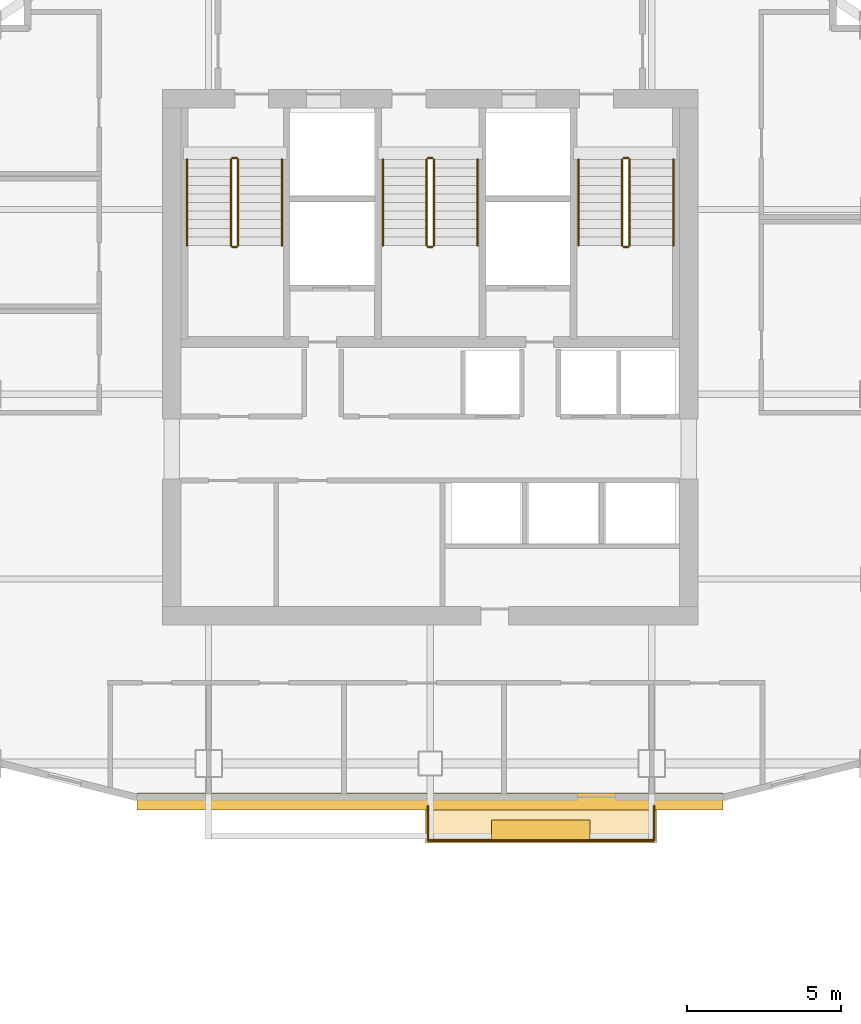
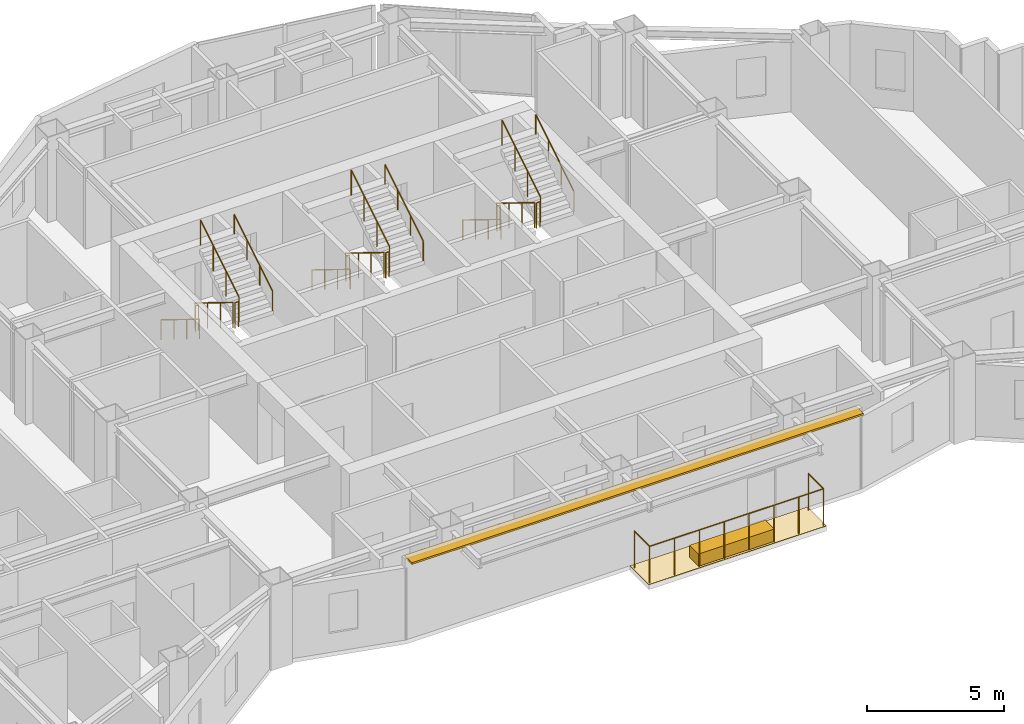
# One storey, part 11 of 11: 20 railings, 2 coverings, 1 shading device.
"""IFC4 building model written with IfcOpenShell, lengths in metres."""

import ifcopenshell
import ifcopenshell.guid

model = None  # the IFC model being written
_history = None  # IfcOwnerHistory: only IFC2X3 demands one
_inside = {}  # id of a spatial element -> (the spatial element, [elements in it])
_under = {}  # id of a project, library or spatial element -> (it, [spatial elements below it])
_declared = {}  # id of a project -> (the project, [libraries it declares])
_typed = {}  # id of a type object -> (the type object, [elements of that type])
_made_of = {}  # id of a material, layer set ... -> (it, [elements and type objects made of it])


def new_model(schema):
    """Start an empty IFC model of exactly this schema.

    Asked for "IFC4X3", IfcOpenShell would pick the latest addendum, in which some entities
    have other attributes; the version numbers below select the first issue.
    IFC2X3 requires an IfcOwnerHistory on every rooted entity: one is made here for all.
    """
    global model, _history
    if schema == "IFC4X3":
        model = ifcopenshell.file(schema_version=(4, 3, 0, 0))
    else:
        model = ifcopenshell.file(schema=schema)
    _inside.clear()
    _under.clear()
    _declared.clear()
    _typed.clear()
    _made_of.clear()
    _history = None
    if model.schema == "IFC2X3":
        org = make("IfcOrganization", Name="unknown")
        user = make(
            "IfcPersonAndOrganization",
            ThePerson=make("IfcPerson", FamilyName="unknown"),
            TheOrganization=org,
        )
        app = make(
            "IfcApplication",
            ApplicationDeveloper=org,
            Version="unknown",
            ApplicationFullName="unknown",
            ApplicationIdentifier="unknown",
        )
        _history = make(
            "IfcOwnerHistory",
            OwningUser=user,
            OwningApplication=app,
            ChangeAction="ADDED",
            CreationDate=0,
        )
    return model


def make(cls, **values):
    """One entity of the class cls with the attributes given. An attribute that is None is left unset."""
    return model.create_entity(
        cls, **{name: value for name, value in values.items() if value is not None}
    )


def rooted(cls, **values):
    """An entity with a GlobalId (a new one), such as an element, a storey or a relation."""
    return make(cls, GlobalId=ifcopenshell.guid.new(), OwnerHistory=_history, **values)


def si_unit(unit_type, name, prefix=None):
    """IfcSIUnit, for example si_unit("LENGTHUNIT", "METRE", prefix="MILLI")."""
    return make("IfcSIUnit", UnitType=unit_type, Prefix=prefix, Name=name)


def assignment(units):
    """IfcUnitAssignment: the units of a project."""
    return None if units is None else make("IfcUnitAssignment", Units=units)


def point(xyz):
    """IfcCartesianPoint."""
    return None if xyz is None else make("IfcCartesianPoint", Coordinates=xyz)


def direction(xyz):
    """IfcDirection."""
    return None if xyz is None else make("IfcDirection", DirectionRatios=xyz)


def frame(location, z_axis=None, x_axis=None):
    """IfcAxis2Placement3D, a coordinate frame: its origin and axes. An axis left out is left unset."""
    return make(
        "IfcAxis2Placement3D",
        Location=point(location),
        Axis=direction(z_axis),
        RefDirection=direction(x_axis),
    )


def frame_2d(location, x_axis=None):
    """IfcAxis2Placement2D, a coordinate frame in the plane: its origin and x axis."""
    return make(
        "IfcAxis2Placement2D", Location=point(location), RefDirection=direction(x_axis)
    )


def origin():
    """The frame at (0, 0, 0) with its axes left unset."""
    return frame((0.0, 0.0, 0.0))


def origin_2d():
    """The frame at (0, 0) in the plane with its x axis left unset."""
    return frame_2d((0.0, 0.0))


def place(relative_to, where):
    """IfcLocalPlacement: puts the frame where relative to a parent placement (None: the world)."""
    return make(
        "IfcLocalPlacement", PlacementRelTo=relative_to, RelativePlacement=where
    )


def context(
    kind, dimensions, precision=None, world=None, true_north=None, identifier=None
):
    """IfcGeometricRepresentationContext, for example the 3D "Model" context."""
    return make(
        "IfcGeometricRepresentationContext",
        ContextIdentifier=identifier,
        ContextType=kind,
        CoordinateSpaceDimension=dimensions,
        Precision=precision,
        WorldCoordinateSystem=world,
        TrueNorth=true_north,
    )


def subcontext(parent, identifier, kind, view, scale=None):
    """IfcGeometricRepresentationSubContext, for example "Body" below "Model"."""
    return make(
        "IfcGeometricRepresentationSubContext",
        ContextIdentifier=identifier,
        ContextType=kind,
        ParentContext=parent,
        TargetScale=scale,
        TargetView=view,
    )


def project(units=None, contexts=None):
    """IfcProject with its units and contexts."""
    return rooted(
        "IfcProject",
        Name="project",
        RepresentationContexts=contexts,
        UnitsInContext=assignment(units),
    )


def spatial(cls, under=None, at=None, **own):
    """A site, building, storey or space (cls), placed at a placement, below another one or the project."""
    s = rooted(cls, ObjectPlacement=at, **own)
    if under is not None:
        _under.setdefault(under.id(), (under, []))[1].append(s)
    return s


def polyline(points):
    """IfcPolyline through the points."""
    return make("IfcPolyline", Points=[point(p) for p in points])


def profile(cls, at=None, kind="AREA", **sizes):
    """A parametric profile (cls). Its sizes go by their IFC names, for example OverallWidth=200.0."""
    return make(cls, ProfileType=kind, Position=at, **sizes)


def rectangle(**sizes):
    """IfcRectangleProfileDef."""
    return profile("IfcRectangleProfileDef", **sizes)


def circle(**sizes):
    """IfcCircleProfileDef."""
    return profile("IfcCircleProfileDef", **sizes)


def outline(outer, holes=None, kind="AREA"):
    """IfcArbitraryClosedProfileDef: a profile drawn as a closed curve; with holes, ...WithVoids."""
    if holes is None:
        return make("IfcArbitraryClosedProfileDef", ProfileType=kind, OuterCurve=outer)
    return make(
        "IfcArbitraryProfileDefWithVoids",
        ProfileType=kind,
        OuterCurve=outer,
        InnerCurves=holes,
    )


def extrude(swept, where, along, depth):
    """IfcExtrudedAreaSolid: the profile swept, set in the frame where, extruded along a direction by depth."""
    return make(
        "IfcExtrudedAreaSolid",
        SweptArea=swept,
        Position=where,
        ExtrudedDirection=direction(along),
        Depth=depth,
    )


def shape(context_of_items, identifier, shape_type, items):
    """IfcShapeRepresentation: the items that make up one representation, for example the "Body"."""
    return make(
        "IfcShapeRepresentation",
        ContextOfItems=context_of_items,
        RepresentationIdentifier=identifier,
        RepresentationType=shape_type,
        Items=items,
    )


def material(Name=None, Category=None):
    """IfcMaterial."""
    return make("IfcMaterial", Name=Name, Category=Category)


def layer(
    of_material, thickness, ventilated=None, Name=None, Category=None, Priority=None
):
    """IfcMaterialLayer: one layer of a wall or slab, of a material (None: an air gap)."""
    return make(
        "IfcMaterialLayer",
        Material=of_material,
        LayerThickness=thickness,
        IsVentilated=ventilated,
        Name=Name,
        Category=Category,
        Priority=Priority,
    )


def layer_set(layers, Name=None):
    """IfcMaterialLayerSet."""
    return make("IfcMaterialLayerSet", MaterialLayers=layers, LayerSetName=Name)


def made_of(thing, what):
    """Note that an element or type object is made of a material, layer set ...; save() writes the relation."""
    if what is not None:
        _made_of.setdefault(what.id(), (what, []))[1].append(thing)
    return thing


def type_object(cls, material=None, **own):
    """A type object (cls), such as IfcWallType, which elements share."""
    return made_of(rooted(cls, **own), material)


def element(
    cls,
    number,
    at=None,
    inside=None,
    cuts=None,
    type_object=None,
    material=None,
    context=None,
    identifier="Body",
    shape_type=None,
    held_by="IfcProductDefinitionShape",
    body=None,
    shapes=None,
    **own,
):
    """One element of the class cls, such as IfcWall. Its Tag is "e" and its number.

    at: its placement. inside: the storey or other place that contains it. cuts: it is an
    opening in that element (IfcRelVoidsElement). A single representation is given by context,
    identifier, shape_type and body (its items); several are given by shapes. held_by: the class
    of the entity that holds the representations. save() writes the other relations.
    """
    e = rooted(cls, Tag="e%d" % number, ObjectPlacement=at, **own)
    if body is not None:
        shapes = [shape(context, identifier, shape_type, body)]
    if shapes is not None:
        e.Representation = make(held_by, Representations=shapes)
    if inside is not None:
        _inside.setdefault(inside.id(), (inside, []))[1].append(e)
    if cuts is not None:
        rooted(
            "IfcRelVoidsElement", RelatingBuildingElement=cuts, RelatedOpeningElement=e
        )
    if type_object is not None:
        _typed.setdefault(type_object.id(), (type_object, []))[1].append(e)
    return made_of(e, material)


def aggregate(whole, parts):
    """IfcRelAggregates: a whole, such as a stair, and the parts it consists of."""
    return rooted("IfcRelAggregates", RelatingObject=whole, RelatedObjects=parts)


def save(model, path):
    """Write the relations noted so far, then the file.

    IfcRelAggregates (storeys below a building ...), IfcRelContainedInSpatialStructure (elements
    in a storey), IfcRelDefinesByType, IfcRelAssociatesMaterial and IfcRelDeclares: one each for
    every whole, place, type object, material and project.
    """
    for whole, parts in _under.values():
        aggregate(whole, parts)
    for where, things in _inside.values():
        rooted(
            "IfcRelContainedInSpatialStructure",
            RelatedElements=things,
            RelatingStructure=where,
        )
    for kind, things in _typed.values():
        rooted("IfcRelDefinesByType", RelatedObjects=things, RelatingType=kind)
    for what, things in _made_of.values():
        rooted("IfcRelAssociatesMaterial", RelatedObjects=things, RelatingMaterial=what)
    for by, libraries in _declared.values():
        rooted("IfcRelDeclares", RelatingContext=by, RelatedDefinitions=libraries)
    model.write(path)


model = new_model("IFC4")

# Units and contexts
model_context = context("Model", 3, precision=1e-05, world=origin(), true_north=direction((0.0, 1.0)))
body_context = subcontext(model_context, "Body", "Model", "MODEL_VIEW")
ifc_project = project(units=[si_unit("LENGTHUNIT", "METRE"), si_unit("AREAUNIT", "SQUARE_METRE"), si_unit("VOLUMEUNIT", "CUBIC_METRE"), si_unit("PLANEANGLEUNIT", "RADIAN"), si_unit("MASSUNIT", "GRAM", prefix="KILO")], contexts=[model_context])

# Site, building, storey
site_placement = place(None, origin())
site = spatial("IfcSite", under=ifc_project, at=site_placement, CompositionType="ELEMENT")
building_placement = place(site_placement, origin())
building = spatial("IfcBuilding", under=site, at=building_placement, Name="Haolan Belvedere Tower", CompositionType="ELEMENT")
storey_placement = place(building_placement, frame((0.0, 0.0, 211.60009765625)))
storey = spatial("IfcBuildingStorey", under=building, at=storey_placement, Name="L53", CompositionType="ELEMENT", Elevation=211.60009765625)

# Coverings
ifc_material_1 = material(Name="Engineered lightweight planted garden soil substrate", Category="masonry")
ifc_layer_1 = layer(ifc_material_1, 0.550048828125, Name="Engineered lightweight planted garden soil substrate")
ifc_layer_set_1 = layer_set([ifc_layer_1], Name="Engineered lightweight planted garden soil substrate")
covering_type_1 = type_object("IfcCoveringType", Name="COV-PLANT-550", PredefinedType="MEMBRANE", material=ifc_layer_set_1)
covering_1_placement = place(storey_placement, frame((42.0, 19.43994140625, 0.0), z_axis=(0.0, 0.0, 1.0), x_axis=(1.0, 0.0, 0.0)))
element("IfcCovering", 1, at=covering_1_placement, inside=storey, type_object=covering_type_1, Name="L53 structural tree balcony PLANTER box 1", PredefinedType="MEMBRANE", context=body_context, shape_type="SweptSolid", body=[
    extrude(rectangle(XDim=3.199951171875, YDim=0.64990234375, at=origin_2d()), origin(), (0.0, 0.0, 1.0), 0.550048828125),
])
ifc_material_2 = material(Name="Elastomeric waterproof roofing membrane and stone pavers", Category="masonry")
ifc_layer_2 = layer(ifc_material_2, 0.02001953125, Name="Elastomeric waterproof roofing membrane and stone pavers")
ifc_layer_set_2 = layer_set([ifc_layer_2], Name="Elastomeric waterproof roofing membrane and stone pavers")
covering_type_2 = type_object("IfcCoveringType", Name="COV-ROOF-20", PredefinedType="ROOFING", material=ifc_layer_set_2)
covering_2_placement = place(storey_placement, frame((0.0, 0.0, -0.02001953125)))
element("IfcCovering", 2, at=covering_2_placement, inside=storey, type_object=covering_type_2, Name="L53 tree-balcony waterproof membrane 1", PredefinedType="ROOFING", context=body_context, shape_type="SweptSolid", body=[
    extrude(outline(polyline([(38.25, 19.02001953125), (45.75, 19.02001953125), (45.75, 20.39990234375), (38.25, 20.39990234375), (38.25, 19.02001953125)])), origin(), (0.0, 0.0, 1.0), 0.02001953125),
])

# Railings
ifc_material_3 = material(Name="Brushed stainless steel 304", Category="steel")
railing_type_1 = type_object("IfcRailingType", Name="RL-STAIR-GRD-1150", PredefinedType="GUARDRAIL", material=ifc_material_3)
railing_1_placement = place(storey_placement, frame((31.919921875, 41.22998046875, 0.172607421875)))
element("IfcRailing", 3, at=railing_1_placement, inside=storey, type_object=railing_type_1, Name="L53 ST1 stair guard 1", PredefinedType="GUARDRAIL", context=body_context, shape_type="SweptSolid", body=[
    extrude(circle(Radius=0.02392578125, at=origin_2d()), frame((0.0, 0.0, 1.1259765625), z_axis=(0.0, -0.851089632645, 0.525020415988), x_axis=(1.0, 0.0, 0.0)), (0.0, 0.0, 1.0), 3.2900390625),
    extrude(circle(Radius=0.02099609375, at=origin_2d()), origin(), (0.0, 0.0, 1.0), 1.101806640625),
    extrude(circle(Radius=0.02099609375, at=origin_2d()), frame((0.0, -0.933349609375, 0.57568359375)), (0.0, 0.0, 1.0), 1.101806640625),
    extrude(circle(Radius=0.02099609375, at=origin_2d()), frame((0.0, -1.86669921875, 1.151611328125)), (0.0, 0.0, 1.0), 1.101806640625),
    extrude(circle(Radius=0.02099609375, at=origin_2d()), frame((0.0, -2.800048828125, 1.727294921875)), (0.0, 0.0, 1.0), 1.101806640625),
])
railing_2_placement = place(storey_placement, frame((31.969970703125, 38.3798828125, 1.89990234375)))
element("IfcRailing", 4, at=railing_2_placement, inside=storey, type_object=railing_type_1, Name="L53 ST1 stair guard 2", PredefinedType="GUARDRAIL", context=body_context, shape_type="SweptSolid", body=[
    extrude(circle(Radius=0.02392578125, at=origin_2d()), frame((0.0, 0.0, 1.1259765625), z_axis=(1.0, 0.0, 0.0), x_axis=(0.0, 1.0, 0.0)), (0.0, 0.0, 1.0), 0.14013671875),
    extrude(circle(Radius=0.02099609375, at=origin_2d()), origin(), (0.0, 0.0, 1.0), 1.101806640625),
    extrude(circle(Radius=0.02099609375, at=origin_2d()), frame((0.14013671875, 0.0, 0.0)), (0.0, 0.0, 1.0), 1.101806640625),
])
railing_3_placement = place(storey_placement, frame((32.159912109375, 38.429931640625, 2.072509765625)))
element("IfcRailing", 5, at=railing_3_placement, inside=storey, type_object=railing_type_1, Name="L53 ST1 stair guard 3", PredefinedType="GUARDRAIL", context=body_context, shape_type="SweptSolid", body=[
    extrude(circle(Radius=0.02392578125, at=origin_2d()), frame((0.0, 0.0, 1.1259765625), z_axis=(0.0, 0.851089632645, 0.525020415988), x_axis=(-1.0, 0.0, 0.0)), (0.0, 0.0, 1.0), 3.2900390625),
    extrude(circle(Radius=0.02099609375, at=origin_2d()), origin(), (0.0, 0.0, 1.0), 1.101806640625),
    extrude(circle(Radius=0.02099609375, at=origin_2d()), frame((0.0, 0.933349609375, 0.57568359375)), (0.0, 0.0, 1.0), 1.101806640625),
    extrude(circle(Radius=0.02099609375, at=origin_2d()), frame((0.0, 1.86669921875, 1.151611328125)), (0.0, 0.0, 1.0), 1.101806640625),
    extrude(circle(Radius=0.02099609375, at=origin_2d()), frame((0.0, 2.800048828125, 1.727294921875)), (0.0, 0.0, 1.0), 1.101806640625),
])
railing_4_placement = place(storey_placement, frame((31.969970703125, 41.280029296875, 0.0)))
element("IfcRailing", 6, at=railing_4_placement, inside=storey, type_object=railing_type_1, Name="L53 ST1 stair guard 4", PredefinedType="GUARDRAIL", context=body_context, shape_type="SweptSolid", body=[
    extrude(circle(Radius=0.02392578125, at=origin_2d()), frame((0.0, 0.0, 1.1259765625), z_axis=(1.0, 0.0, 0.0), x_axis=(0.0, 1.0, 0.0)), (0.0, 0.0, 1.0), 0.14013671875),
    extrude(circle(Radius=0.02099609375, at=origin_2d()), origin(), (0.0, 0.0, 1.0), 1.101806640625),
    extrude(circle(Radius=0.02099609375, at=origin_2d()), frame((0.14013671875, 0.0, 0.0)), (0.0, 0.0, 1.0), 1.101806640625),
])
railing_5_placement = place(storey_placement, frame((38.280029296875, 41.22998046875, 0.172607421875)))
element("IfcRailing", 7, at=railing_5_placement, inside=storey, type_object=railing_type_1, Name="L53 ST3 stair guard 1", PredefinedType="GUARDRAIL", context=body_context, shape_type="SweptSolid", body=[
    extrude(circle(Radius=0.02392578125, at=origin_2d()), frame((0.0, 0.0, 1.1259765625), z_axis=(0.0, -0.851089632645, 0.525020415988), x_axis=(1.0, 0.0, 0.0)), (0.0, 0.0, 1.0), 3.2900390625),
    extrude(circle(Radius=0.02099609375, at=origin_2d()), origin(), (0.0, 0.0, 1.0), 1.101806640625),
    extrude(circle(Radius=0.02099609375, at=origin_2d()), frame((0.0, -0.933349609375, 0.57568359375)), (0.0, 0.0, 1.0), 1.101806640625),
    extrude(circle(Radius=0.02099609375, at=origin_2d()), frame((0.0, -1.86669921875, 1.151611328125)), (0.0, 0.0, 1.0), 1.101806640625),
    extrude(circle(Radius=0.02099609375, at=origin_2d()), frame((0.0, -2.800048828125, 1.727294921875)), (0.0, 0.0, 1.0), 1.101806640625),
])
railing_6_placement = place(storey_placement, frame((38.330078125, 38.3798828125, 1.89990234375)))
element("IfcRailing", 8, at=railing_6_placement, inside=storey, type_object=railing_type_1, Name="L53 ST3 stair guard 2", PredefinedType="GUARDRAIL", context=body_context, shape_type="SweptSolid", body=[
    extrude(circle(Radius=0.02392578125, at=origin_2d()), frame((0.0, 0.0, 1.1259765625), z_axis=(1.0, 0.0, 0.0), x_axis=(0.0, 1.0, 0.0)), (0.0, 0.0, 1.0), 0.139892578125),
    extrude(circle(Radius=0.02099609375, at=origin_2d()), origin(), (0.0, 0.0, 1.0), 1.101806640625),
    extrude(circle(Radius=0.02099609375, at=origin_2d()), frame((0.139892578125, 0.0, 0.0)), (0.0, 0.0, 1.0), 1.101806640625),
])
railing_7_placement = place(storey_placement, frame((38.52001953125, 38.429931640625, 2.072509765625)))
element("IfcRailing", 9, at=railing_7_placement, inside=storey, type_object=railing_type_1, Name="L53 ST3 stair guard 3", PredefinedType="GUARDRAIL", context=body_context, shape_type="SweptSolid", body=[
    extrude(circle(Radius=0.02392578125, at=origin_2d()), frame((0.0, 0.0, 1.1259765625), z_axis=(0.0, 0.851089632645, 0.525020415988), x_axis=(-1.0, 0.0, 0.0)), (0.0, 0.0, 1.0), 3.2900390625),
    extrude(circle(Radius=0.02099609375, at=origin_2d()), origin(), (0.0, 0.0, 1.0), 1.101806640625),
    extrude(circle(Radius=0.02099609375, at=origin_2d()), frame((0.0, 0.933349609375, 0.57568359375)), (0.0, 0.0, 1.0), 1.101806640625),
    extrude(circle(Radius=0.02099609375, at=origin_2d()), frame((0.0, 1.86669921875, 1.151611328125)), (0.0, 0.0, 1.0), 1.101806640625),
    extrude(circle(Radius=0.02099609375, at=origin_2d()), frame((0.0, 2.800048828125, 1.727294921875)), (0.0, 0.0, 1.0), 1.101806640625),
])
railing_8_placement = place(storey_placement, frame((38.330078125, 41.280029296875, 0.0)))
element("IfcRailing", 10, at=railing_8_placement, inside=storey, type_object=railing_type_1, Name="L53 ST3 stair guard 4", PredefinedType="GUARDRAIL", context=body_context, shape_type="SweptSolid", body=[
    extrude(circle(Radius=0.02392578125, at=origin_2d()), frame((0.0, 0.0, 1.1259765625), z_axis=(1.0, 0.0, 0.0), x_axis=(0.0, 1.0, 0.0)), (0.0, 0.0, 1.0), 0.139892578125),
    extrude(circle(Radius=0.02099609375, at=origin_2d()), origin(), (0.0, 0.0, 1.0), 1.101806640625),
    extrude(circle(Radius=0.02099609375, at=origin_2d()), frame((0.139892578125, 0.0, 0.0)), (0.0, 0.0, 1.0), 1.101806640625),
])
railing_9_placement = place(storey_placement, frame((44.639892578125, 41.22998046875, 0.172607421875)))
element("IfcRailing", 11, at=railing_9_placement, inside=storey, type_object=railing_type_1, Name="L53 ST2 stair guard 1", PredefinedType="GUARDRAIL", context=body_context, shape_type="SweptSolid", body=[
    extrude(circle(Radius=0.02392578125, at=origin_2d()), frame((0.0, 0.0, 1.1259765625), z_axis=(0.0, -0.851089632645, 0.525020415988), x_axis=(1.0, 0.0, 0.0)), (0.0, 0.0, 1.0), 3.2900390625),
    extrude(circle(Radius=0.02099609375, at=origin_2d()), origin(), (0.0, 0.0, 1.0), 1.101806640625),
    extrude(circle(Radius=0.02099609375, at=origin_2d()), frame((0.0, -0.933349609375, 0.57568359375)), (0.0, 0.0, 1.0), 1.101806640625),
    extrude(circle(Radius=0.02099609375, at=origin_2d()), frame((0.0, -1.86669921875, 1.151611328125)), (0.0, 0.0, 1.0), 1.101806640625),
    extrude(circle(Radius=0.02099609375, at=origin_2d()), frame((0.0, -2.800048828125, 1.727294921875)), (0.0, 0.0, 1.0), 1.101806640625),
])
railing_10_placement = place(storey_placement, frame((44.68994140625, 38.3798828125, 1.89990234375)))
element("IfcRailing", 12, at=railing_10_placement, inside=storey, type_object=railing_type_1, Name="L53 ST2 stair guard 2", PredefinedType="GUARDRAIL", context=body_context, shape_type="SweptSolid", body=[
    extrude(circle(Radius=0.02392578125, at=origin_2d()), frame((0.0, 0.0, 1.1259765625), z_axis=(1.0, 0.0, 0.0), x_axis=(0.0, 1.0, 0.0)), (0.0, 0.0, 1.0), 0.14013671875),
    extrude(circle(Radius=0.02099609375, at=origin_2d()), origin(), (0.0, 0.0, 1.0), 1.101806640625),
    extrude(circle(Radius=0.02099609375, at=origin_2d()), frame((0.14013671875, 0.0, 0.0)), (0.0, 0.0, 1.0), 1.101806640625),
])
railing_11_placement = place(storey_placement, frame((44.8798828125, 38.429931640625, 2.072509765625)))
element("IfcRailing", 13, at=railing_11_placement, inside=storey, type_object=railing_type_1, Name="L53 ST2 stair guard 3", PredefinedType="GUARDRAIL", context=body_context, shape_type="SweptSolid", body=[
    extrude(circle(Radius=0.02392578125, at=origin_2d()), frame((0.0, 0.0, 1.1259765625), z_axis=(0.0, 0.851089632645, 0.525020415988), x_axis=(-1.0, 0.0, 0.0)), (0.0, 0.0, 1.0), 3.2900390625),
    extrude(circle(Radius=0.02099609375, at=origin_2d()), origin(), (0.0, 0.0, 1.0), 1.101806640625),
    extrude(circle(Radius=0.02099609375, at=origin_2d()), frame((0.0, 0.933349609375, 0.57568359375)), (0.0, 0.0, 1.0), 1.101806640625),
    extrude(circle(Radius=0.02099609375, at=origin_2d()), frame((0.0, 1.86669921875, 1.151611328125)), (0.0, 0.0, 1.0), 1.101806640625),
    extrude(circle(Radius=0.02099609375, at=origin_2d()), frame((0.0, 2.800048828125, 1.727294921875)), (0.0, 0.0, 1.0), 1.101806640625),
])
railing_12_placement = place(storey_placement, frame((44.68994140625, 41.280029296875, 0.0)))
element("IfcRailing", 14, at=railing_12_placement, inside=storey, type_object=railing_type_1, Name="L53 ST2 stair guard 4", PredefinedType="GUARDRAIL", context=body_context, shape_type="SweptSolid", body=[
    extrude(circle(Radius=0.02392578125, at=origin_2d()), frame((0.0, 0.0, 1.1259765625), z_axis=(1.0, 0.0, 0.0), x_axis=(0.0, 1.0, 0.0)), (0.0, 0.0, 1.0), 0.14013671875),
    extrude(circle(Radius=0.02099609375, at=origin_2d()), origin(), (0.0, 0.0, 1.0), 1.101806640625),
    extrude(circle(Radius=0.02099609375, at=origin_2d()), frame((0.14013671875, 0.0, 0.0)), (0.0, 0.0, 1.0), 1.101806640625),
])
railing_type_2 = type_object("IfcRailingType", Name="RL-STAIR-HND-900", PredefinedType="HANDRAIL", material=ifc_material_3)
railing_13_placement = place(storey_placement, frame((30.5, 41.22998046875, 0.172607421875)))
element("IfcRailing", 15, at=railing_13_placement, inside=storey, type_object=railing_type_2, Name="L53 ST1 stair handrail 1", PredefinedType="HANDRAIL", context=body_context, shape_type="SweptSolid", body=[
    extrude(circle(Radius=0.02392578125, at=origin_2d()), frame((0.0, 0.0, 0.8759765625), z_axis=(0.0, -0.851089632645, 0.525020415988), x_axis=(1.0, 0.0, 0.0)), (0.0, 0.0, 1.0), 3.2900390625),
    extrude(circle(Radius=0.02099609375, at=origin_2d()), origin(), (0.0, 0.0, 1.0), 0.851806640625),
    extrude(circle(Radius=0.02099609375, at=origin_2d()), frame((0.0, -0.933349609375, 0.57568359375)), (0.0, 0.0, 1.0), 0.851806640625),
    extrude(circle(Radius=0.02099609375, at=origin_2d()), frame((0.0, -1.86669921875, 1.151611328125)), (0.0, 0.0, 1.0), 0.851806640625),
    extrude(circle(Radius=0.02099609375, at=origin_2d()), frame((0.0, -2.800048828125, 1.727294921875)), (0.0, 0.0, 1.0), 0.851806640625),
])
railing_14_placement = place(storey_placement, frame((33.580078125, 38.429931640625, 2.072509765625)))
element("IfcRailing", 16, at=railing_14_placement, inside=storey, type_object=railing_type_2, Name="L53 ST1 stair handrail 2", PredefinedType="HANDRAIL", context=body_context, shape_type="SweptSolid", body=[
    extrude(circle(Radius=0.02392578125, at=origin_2d()), frame((0.0, 0.0, 0.8759765625), z_axis=(0.0, 0.851089632645, 0.525020415988), x_axis=(-1.0, 0.0, 0.0)), (0.0, 0.0, 1.0), 3.2900390625),
    extrude(circle(Radius=0.02099609375, at=origin_2d()), origin(), (0.0, 0.0, 1.0), 0.851806640625),
    extrude(circle(Radius=0.02099609375, at=origin_2d()), frame((0.0, 0.933349609375, 0.57568359375)), (0.0, 0.0, 1.0), 0.851806640625),
    extrude(circle(Radius=0.02099609375, at=origin_2d()), frame((0.0, 1.86669921875, 1.151611328125)), (0.0, 0.0, 1.0), 0.851806640625),
    extrude(circle(Radius=0.02099609375, at=origin_2d()), frame((0.0, 2.800048828125, 1.727294921875)), (0.0, 0.0, 1.0), 0.851806640625),
])
railing_15_placement = place(storey_placement, frame((36.860107421875, 41.22998046875, 0.172607421875)))
element("IfcRailing", 17, at=railing_15_placement, inside=storey, type_object=railing_type_2, Name="L53 ST3 stair handrail 1", PredefinedType="HANDRAIL", context=body_context, shape_type="SweptSolid", body=[
    extrude(circle(Radius=0.02392578125, at=origin_2d()), frame((0.0, 0.0, 0.8759765625), z_axis=(0.0, -0.851089632645, 0.525020415988), x_axis=(1.0, 0.0, 0.0)), (0.0, 0.0, 1.0), 3.2900390625),
    extrude(circle(Radius=0.02099609375, at=origin_2d()), origin(), (0.0, 0.0, 1.0), 0.851806640625),
    extrude(circle(Radius=0.02099609375, at=origin_2d()), frame((0.0, -0.933349609375, 0.57568359375)), (0.0, 0.0, 1.0), 0.851806640625),
    extrude(circle(Radius=0.02099609375, at=origin_2d()), frame((0.0, -1.86669921875, 1.151611328125)), (0.0, 0.0, 1.0), 0.851806640625),
    extrude(circle(Radius=0.02099609375, at=origin_2d()), frame((0.0, -2.800048828125, 1.727294921875)), (0.0, 0.0, 1.0), 0.851806640625),
])
railing_16_placement = place(storey_placement, frame((39.93994140625, 38.429931640625, 2.072509765625)))
element("IfcRailing", 18, at=railing_16_placement, inside=storey, type_object=railing_type_2, Name="L53 ST3 stair handrail 2", PredefinedType="HANDRAIL", context=body_context, shape_type="SweptSolid", body=[
    extrude(circle(Radius=0.02392578125, at=origin_2d()), frame((0.0, 0.0, 0.8759765625), z_axis=(0.0, 0.851089632645, 0.525020415988), x_axis=(-1.0, 0.0, 0.0)), (0.0, 0.0, 1.0), 3.2900390625),
    extrude(circle(Radius=0.02099609375, at=origin_2d()), origin(), (0.0, 0.0, 1.0), 0.851806640625),
    extrude(circle(Radius=0.02099609375, at=origin_2d()), frame((0.0, 0.933349609375, 0.57568359375)), (0.0, 0.0, 1.0), 0.851806640625),
    extrude(circle(Radius=0.02099609375, at=origin_2d()), frame((0.0, 1.86669921875, 1.151611328125)), (0.0, 0.0, 1.0), 0.851806640625),
    extrude(circle(Radius=0.02099609375, at=origin_2d()), frame((0.0, 2.800048828125, 1.727294921875)), (0.0, 0.0, 1.0), 0.851806640625),
])
railing_17_placement = place(storey_placement, frame((43.219970703125, 41.22998046875, 0.172607421875)))
element("IfcRailing", 19, at=railing_17_placement, inside=storey, type_object=railing_type_2, Name="L53 ST2 stair handrail 1", PredefinedType="HANDRAIL", context=body_context, shape_type="SweptSolid", body=[
    extrude(circle(Radius=0.02392578125, at=origin_2d()), frame((0.0, 0.0, 0.8759765625), z_axis=(0.0, -0.851089632645, 0.525020415988), x_axis=(1.0, 0.0, 0.0)), (0.0, 0.0, 1.0), 3.2900390625),
    extrude(circle(Radius=0.02099609375, at=origin_2d()), origin(), (0.0, 0.0, 1.0), 0.851806640625),
    extrude(circle(Radius=0.02099609375, at=origin_2d()), frame((0.0, -0.933349609375, 0.57568359375)), (0.0, 0.0, 1.0), 0.851806640625),
    extrude(circle(Radius=0.02099609375, at=origin_2d()), frame((0.0, -1.86669921875, 1.151611328125)), (0.0, 0.0, 1.0), 0.851806640625),
    extrude(circle(Radius=0.02099609375, at=origin_2d()), frame((0.0, -2.800048828125, 1.727294921875)), (0.0, 0.0, 1.0), 0.851806640625),
])
railing_18_placement = place(storey_placement, frame((46.300048828125, 38.429931640625, 2.072509765625)))
element("IfcRailing", 20, at=railing_18_placement, inside=storey, type_object=railing_type_2, Name="L53 ST2 stair handrail 2", PredefinedType="HANDRAIL", context=body_context, shape_type="SweptSolid", body=[
    extrude(circle(Radius=0.02392578125, at=origin_2d()), frame((0.0, 0.0, 0.8759765625), z_axis=(0.0, 0.851089632645, 0.525020415988), x_axis=(-1.0, 0.0, 0.0)), (0.0, 0.0, 1.0), 3.2900390625),
    extrude(circle(Radius=0.02099609375, at=origin_2d()), origin(), (0.0, 0.0, 1.0), 0.851806640625),
    extrude(circle(Radius=0.02099609375, at=origin_2d()), frame((0.0, 0.933349609375, 0.57568359375)), (0.0, 0.0, 1.0), 0.851806640625),
    extrude(circle(Radius=0.02099609375, at=origin_2d()), frame((0.0, 1.86669921875, 1.151611328125)), (0.0, 0.0, 1.0), 0.851806640625),
    extrude(circle(Radius=0.02099609375, at=origin_2d()), frame((0.0, 2.800048828125, 1.727294921875)), (0.0, 0.0, 1.0), 0.851806640625),
])
ifc_material_4 = material(Name="Anodised aluminium and laminated glass balustrade", Category="aluminium")
railing_type_3 = type_object("IfcRailingType", Name="RL-TER-BAL-1150", PredefinedType="BALUSTRADE", material=ifc_material_4)
railing_19_placement = place(storey_placement, frame((38.330078125, 19.10009765625, 0.0)))
element("IfcRailing", 21, at=railing_19_placement, inside=storey, type_object=railing_type_3, Name="L53 outdoor perimeter balustrade BAL-L53-1-1", PredefinedType="BALUSTRADE", context=body_context, shape_type="SweptSolid", body=[
    extrude(circle(Radius=0.02392578125, at=origin_2d()), frame((0.0, 0.0, 1.6259765625), z_axis=(0.0, 1.0, 0.0), x_axis=(-1.0, 0.0, 0.0)), (0.0, 0.0, 1.0), 1.119873046875),
    extrude(circle(Radius=0.02099609375, at=origin_2d()), origin(), (0.0, 0.0, 1.0), 1.601806640625),
    extrude(circle(Radius=0.02099609375, at=origin_2d()), frame((0.0, 1.119873046875, 0.0)), (0.0, 0.0, 1.0), 1.601806640625),
])
railing_20_placement = place(storey_placement, frame((45.669921875, 20.219970703125, 0.0)))
element("IfcRailing", 22, at=railing_20_placement, inside=storey, type_object=railing_type_3, Name="L53 outdoor perimeter balustrade BAL-L53-1-2", PredefinedType="BALUSTRADE", context=body_context, shape_type="SweptSolid", body=[
    extrude(circle(Radius=0.02392578125, at=origin_2d()), frame((0.0, 0.0, 1.6259765625), z_axis=(0.0, -1.0, 0.0), x_axis=(1.0, 0.0, 0.0)), (0.0, 0.0, 1.0), 1.119873046875),
    extrude(circle(Radius=0.02392578125, at=origin_2d()), frame((0.0, -1.119873046875, 1.6259765625), z_axis=(-1.0, 0.0, 0.0), x_axis=(0.0, -1.0, 0.0)), (0.0, 0.0, 1.0), 7.33984375),
    extrude(circle(Radius=0.02099609375, at=origin_2d()), origin(), (0.0, 0.0, 1.0), 1.601806640625),
    extrude(circle(Radius=0.02099609375, at=origin_2d()), frame((0.0, -1.119873046875, 0.0)), (0.0, 0.0, 1.0), 1.601806640625),
    extrude(circle(Radius=0.02099609375, at=origin_2d()), frame((-1.048583984375, -1.119873046875, 0.0)), (0.0, 0.0, 1.0), 1.601806640625),
    extrude(circle(Radius=0.02099609375, at=origin_2d()), frame((-2.09716796875, -1.119873046875, 0.0)), (0.0, 0.0, 1.0), 1.601806640625),
    extrude(circle(Radius=0.02099609375, at=origin_2d()), frame((-3.145751953125, -1.119873046875, 0.0)), (0.0, 0.0, 1.0), 1.601806640625),
    extrude(circle(Radius=0.02099609375, at=origin_2d()), frame((-4.194091796875, -1.119873046875, 0.0)), (0.0, 0.0, 1.0), 1.601806640625),
    extrude(circle(Radius=0.02099609375, at=origin_2d()), frame((-5.24267578125, -1.119873046875, 0.0)), (0.0, 0.0, 1.0), 1.601806640625),
    extrude(circle(Radius=0.02099609375, at=origin_2d()), frame((-6.291259765625, -1.119873046875, 0.0)), (0.0, 0.0, 1.0), 1.601806640625),
    extrude(circle(Radius=0.02099609375, at=origin_2d()), frame((-7.33984375, -1.119873046875, 0.0)), (0.0, 0.0, 1.0), 1.601806640625),
])

# Shading device
ifc_material_5 = material(Name="Anodised champagne-silver aluminium 6063-T6", Category="aluminium")
ifc_layer_3 = layer(ifc_material_5, 0.080078125, Name="Anodised champagne-silver aluminium 6063-T6")
ifc_layer_set_3 = layer_set([ifc_layer_3], Name="Anodised champagne-silver aluminium 6063-T6")
shading_device_type = type_object("IfcShadingDeviceType", Name="SHD-SUN-550", PredefinedType="USERDEFINED", material=ifc_layer_set_3)
shading_device_placement = place(storey_placement, frame((38.39990234375, 20.3701171875, 3.519775390625), z_axis=(0.0, 0.0, 1.0), x_axis=(1.0, 0.0, 0.0)))
element("IfcShadingDevice", 23, at=shading_device_placement, inside=storey, type_object=shading_device_type, Name="L53 pale-metal horizontal SUNSHADE band 1.1", ObjectType="SUNSHADE", PredefinedType="USERDEFINED", context=body_context, shape_type="SweptSolid", body=[
    extrude(rectangle(XDim=19.04296875, YDim=0.550048828125, at=origin_2d()), origin(), (0.0, 0.0, 1.0), 0.080078125),
])

save(model, "model.ifc")
